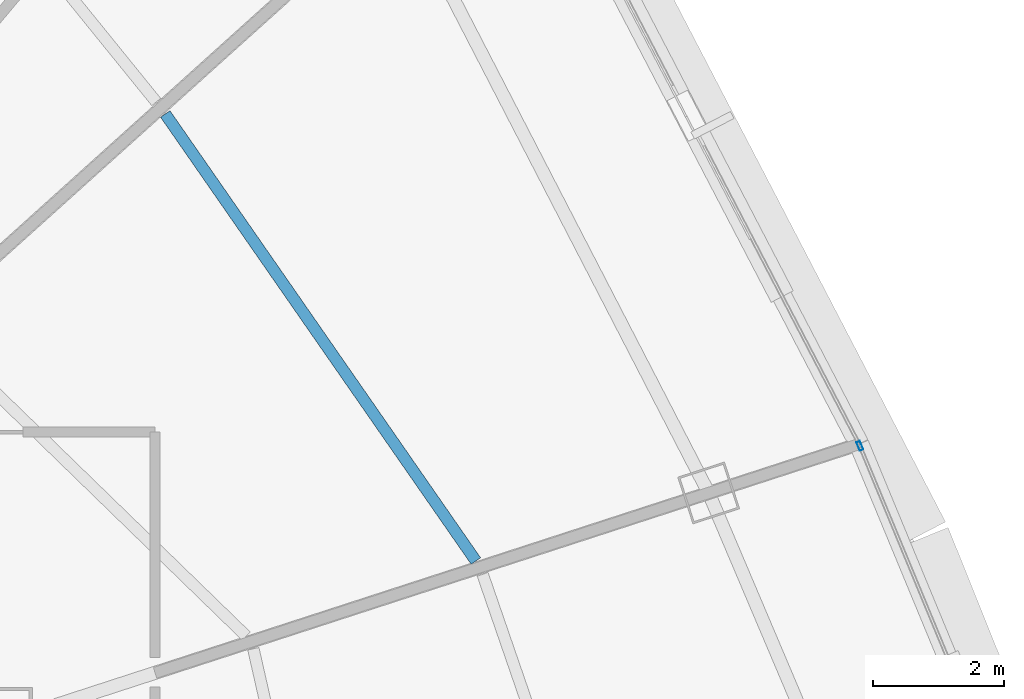
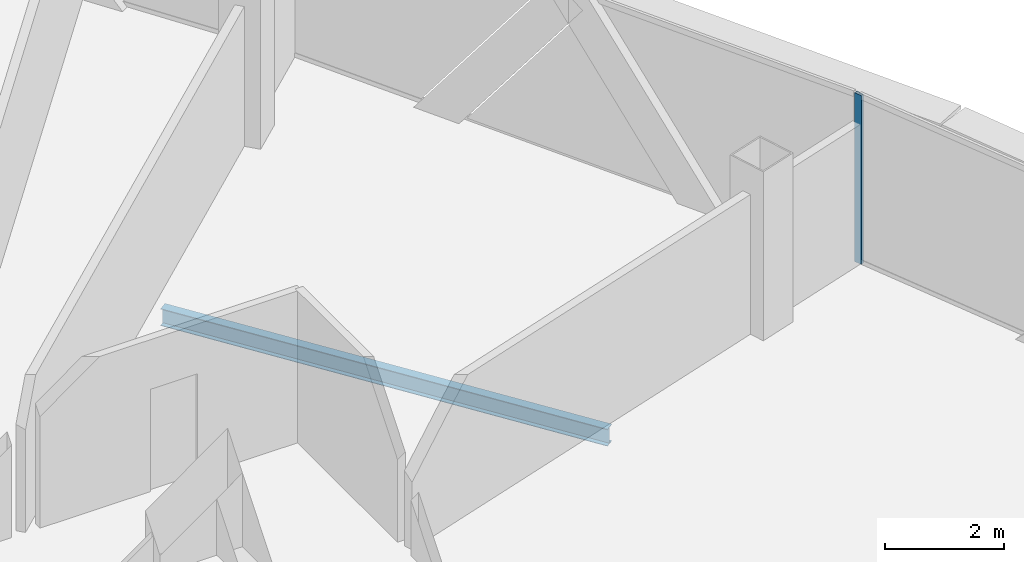
# One storey, part 18 of 40: 1 beam, 1 member, 1 element without a shape of its own.
"""IFC4 building model written with IfcOpenShell, lengths in metres."""

from ifc_helpers import new_model, si_unit, direction, frame, origin, origin_2d, place, context, subcontext, project, spatial, hollow_rectangle, i_section, extrude, source, transform, mapped, material, layer, layer_set, material_profile, profile_set, type_object, element, aggregate, save


model = new_model("IFC4")

# Units and contexts
model_context = context("Model", 3, precision=1e-05, world=origin(), true_north=direction((0.0, 1.0)))
body_context = subcontext(model_context, "Body", "Model", "MODEL_VIEW")
ifc_project = project(units=[si_unit("LENGTHUNIT", "METRE"), si_unit("AREAUNIT", "SQUARE_METRE"), si_unit("VOLUMEUNIT", "CUBIC_METRE"), si_unit("PLANEANGLEUNIT", "RADIAN"), si_unit("MASSUNIT", "GRAM", prefix="KILO"), si_unit("THERMODYNAMICTEMPERATUREUNIT", "KELVIN"), si_unit("POWERUNIT", "WATT")], contexts=[model_context])

# Site, building, storey
site_placement = place(None, origin())
site = spatial("IfcSite", under=ifc_project, at=site_placement, CompositionType="ELEMENT")
building_placement = place(site_placement, origin())
building = spatial("IfcBuilding", under=site, at=building_placement, Name="Yunzhuo Pagoda Commons", CompositionType="ELEMENT")
storey_placement = place(building_placement, frame((0.0, 0.0, 292.47998046875)))
storey = spatial("IfcBuildingStorey", under=building, at=storey_placement, Name="L73", CompositionType="ELEMENT", Elevation=292.47998046875)

# Beam
ifc_material_1 = material(Name="Structural steel Q355B", Category="steel")
ifc_material_profile_1 = material_profile(ifc_material_1, i_section(OverallWidth=0.175048828125, OverallDepth=0.35009765625, WebThickness=0.007080078125, FlangeThickness=0.010986328125, at=origin_2d()), Name="Structural steel Q355B")
ifc_profile_set_1 = profile_set([ifc_material_profile_1], Name="Structural steel Q355B")
beam_type = type_object("IfcBeamType", Name="B-JS2 Joist HN 350x175x7x11", PredefinedType="JOIST", material=ifc_profile_set_1)
shared_shape_1 = source(origin(), body_context, "Body", "SweptSolid", [
    extrude(i_section(OverallWidth=0.175048828125, OverallDepth=0.35009765625, WebThickness=0.007080078125, FlangeThickness=0.010986328125, at=origin_2d()), origin(), (0.0, 0.0, 1.0), 8.31103515625),
])
beam_placement = place(storey_placement, frame((67.748046875, 40.232421875, -0.43505859375), z_axis=(-0.570615989364, 0.821217019236, 0.0), x_axis=(-0.821217019236, -0.570615989364, 0.0)))
element("IfcBeam", 1, at=beam_placement, inside=storey, type_object=beam_type, Name="L73 composite ring joist 2.6", PredefinedType="JOIST", context=body_context, shape_type="MappedRepresentation", body=[
    mapped(shared_shape_1, transform((0.0, 0.0, 0.0), scale=1.0)),
])

# Curtain wall, member
ifc_material_2 = material(Name="Anodized aluminium 6063-T6", Category="aluminium")
ifc_layer = layer(ifc_material_2, 0.139892578125)
ifc_layer_set = layer_set([ifc_layer], Name="Anodized aluminium 6063-T6")
curtain_wall_type = type_object("IfcCurtainWallType", Name="CW-HI High-Zone Ribbon Curtain Wall", PredefinedType="NOTDEFINED", material=ifc_layer_set)
curtain_wall_placement = place(storey_placement, origin())
curtain_wall = element("IfcCurtainWall", 2, at=curtain_wall_placement, inside=storey, type_object=curtain_wall_type, Name="L73 curtain wall CW-L73-F2B2", PredefinedType="NOTDEFINED")
ifc_material_profile_2 = material_profile(ifc_material_2, hollow_rectangle(XDim=0.06005859375, YDim=0.139892578125, WallThickness=0.00341796875, at=origin_2d()), Name="Anodized aluminium 6063-T6")
ifc_profile_set_2 = profile_set([ifc_material_profile_2], Name="Anodized aluminium 6063-T6")
member_type = type_object("IfcMemberType", Name="CW-HI-M Mullion RHS 140x60x3.5", PredefinedType="MULLION", material=ifc_profile_set_2)
shared_shape_2 = source(origin(), body_context, "Body", "SweptSolid", [
    extrude(hollow_rectangle(XDim=0.06005859375, YDim=0.139892578125, WallThickness=0.00341796875, at=origin_2d()), origin(), (0.0, 0.0, 1.0), 3.4697265625),
])
member_placement = place(storey_placement, frame((73.610595703125, 41.989990234375, 0.000244140625), z_axis=(0.0, 0.0, 1.0), x_axis=(-0.923899046183, -0.382636318796, 0.0)))
member = element("IfcMember", 3, at=member_placement, type_object=member_type, Name="CW mullion 2", PredefinedType="MULLION", context=body_context, shape_type="MappedRepresentation", body=[
    mapped(shared_shape_2, transform((0.0, 0.0, 0.0), scale=1.0)),
])
aggregate(curtain_wall, [member])

save(model, "model.ifc")
